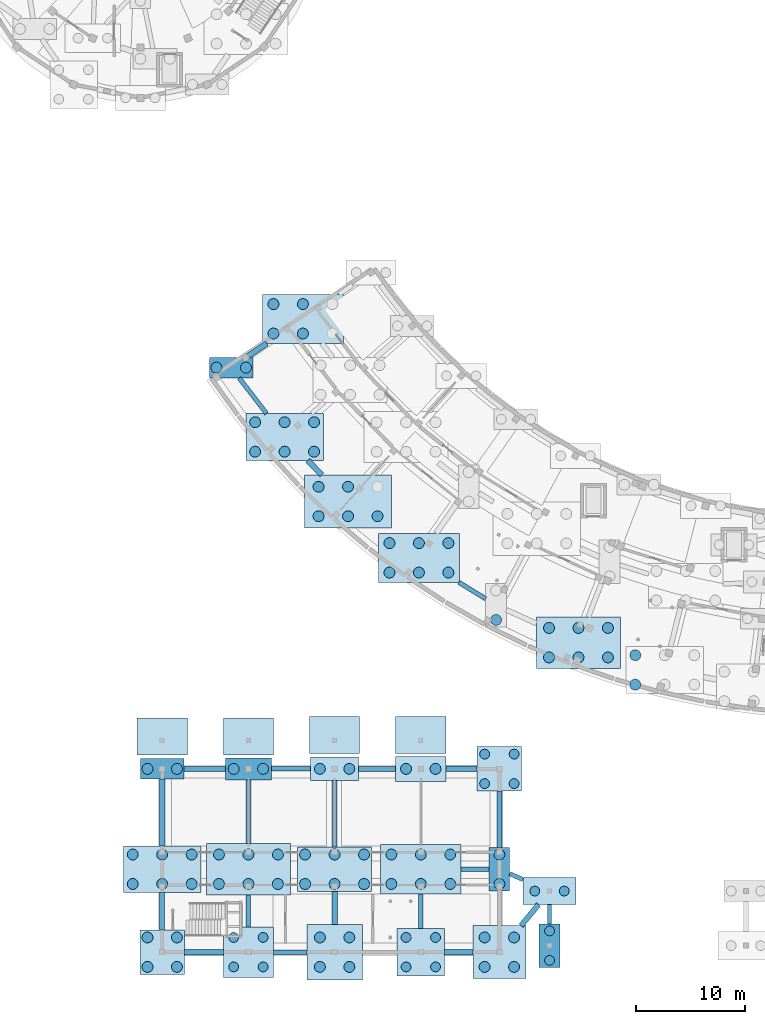
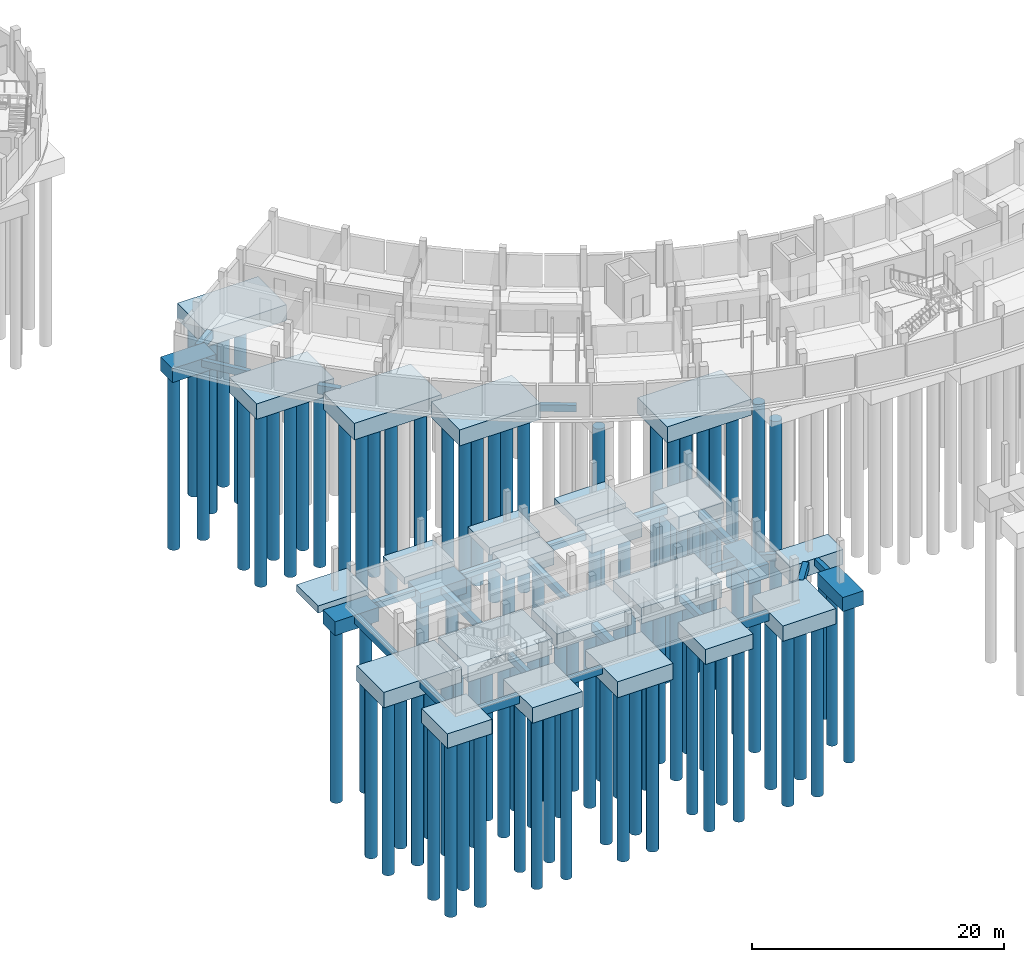
# One storey, part 1 of 58: 94 piles, 50 footings.
"""IFC4 building model written with IfcOpenShell, lengths in metres."""

from ifc_helpers import new_model, si_unit, direction, frame, origin, origin_2d, place, context, subcontext, project, spatial, rectangle, circle, extrude, material, material_profile, profile_set, type_object, element, save


model = new_model("IFC4")

# Units and contexts
model_context = context("Model", 3, precision=1e-05, world=origin(), true_north=direction((0.0, 1.0)))
body_context = subcontext(model_context, "Body", "Model", "MODEL_VIEW")
ifc_project = project(units=[si_unit("LENGTHUNIT", "METRE"), si_unit("AREAUNIT", "SQUARE_METRE"), si_unit("VOLUMEUNIT", "CUBIC_METRE"), si_unit("PLANEANGLEUNIT", "RADIAN"), si_unit("MASSUNIT", "GRAM", prefix="KILO")], contexts=[model_context])

# Site, building, storey
site_placement = place(None, origin())
site = spatial("IfcSite", under=ifc_project, at=site_placement, CompositionType="ELEMENT")
building_placement = place(site_placement, origin())
building = spatial("IfcBuilding", under=site, at=building_placement, Name="Caldaven Crescent School", CompositionType="ELEMENT")
storey_placement = place(building_placement, frame((0.0, 0.0, -4.080078125)))
storey = spatial("IfcBuildingStorey", under=building, at=storey_placement, Name="B1", CompositionType="ELEMENT", Elevation=-4.080078125)

# Footings
ifc_material_1 = material(Name="Concrete C30/37", Category="concrete")
ifc_material_profile_1 = material_profile(ifc_material_1, rectangle(XDim=0.449951171875, YDim=0.699951171875, at=origin_2d()), Name="FB 450x700")
ifc_profile_set_1 = profile_set([ifc_material_profile_1], Name="Concrete C30/37")
footing_type_1 = type_object("IfcFootingType", Name="FTG-FB1", PredefinedType="FOOTING_BEAM", material=ifc_profile_set_1)
footing_1_placement = place(storey_placement, frame((27.5, 21.0, -0.64990234375), z_axis=(1.0, 0.0, 0.0), x_axis=(0.0, 1.0, 0.0)))
element("IfcFooting", 1, at=footing_1_placement, inside=storey, type_object=footing_type_1, Name="FB-091", PredefinedType="FOOTING_BEAM", context=body_context, shape_type="SweptSolid", body=[
    extrude(rectangle(XDim=0.449951171875, YDim=0.699951171875, at=origin_2d()), origin(), (0.0, 0.0, 1.0), 3.800048828125),
])
for number, where, z_axis, x_axis, name in (
    (2, (43.5, 21.0, -0.64990234375), (1.0, 0.0, 0.0), (0.0, 1.0, 0.0), "FB-094"),
    (3, (25.5, 6.25, -0.64990234375), (0.0, 1.0, 0.0), (-1.0, 0.0, 0.0), "FB-115"),
):
    element("IfcFooting", number, at=place(storey_placement, frame(where, z_axis=z_axis, x_axis=x_axis)), inside=storey, type_object=footing_type_1, Name=name, PredefinedType="FOOTING_BEAM", context=body_context, shape_type="SweptSolid", body=[
        extrude(rectangle(XDim=0.449951171875, YDim=0.699951171875, at=origin_2d()), origin(), (0.0, 0.0, 1.0), 3.39990234375),
    ])
footing_2_placement = place(storey_placement, frame((33.39990234375, 14.14990234375, -0.64990234375), z_axis=(0.0, 1.0, 0.0), x_axis=(-1.0, 0.0, 0.0)))
element("IfcFooting", 4, at=footing_2_placement, inside=storey, type_object=footing_type_1, Name="FB-118", PredefinedType="FOOTING_BEAM", context=body_context, shape_type="SweptSolid", body=[
    extrude(rectangle(XDim=0.449951171875, YDim=0.699951171875, at=origin_2d()), origin(), (0.0, 0.0, 1.0), 5.85009765625),
])
footing_3_placement = place(storey_placement, frame((41.300048828125, 13.85009765625, -0.64990234375), z_axis=(0.0, 1.0, 0.0), x_axis=(-1.0, 0.0, 0.0)))
element("IfcFooting", 5, at=footing_3_placement, inside=storey, type_object=footing_type_1, Name="FB-121", PredefinedType="FOOTING_BEAM", context=body_context, shape_type="SweptSolid", body=[
    extrude(rectangle(XDim=0.449951171875, YDim=0.699951171875, at=origin_2d()), origin(), (0.0, 0.0, 1.0), 6.074951171875),
])
footing_4_placement = place(storey_placement, frame((52.89990234375, 11.800048828125, -0.64990234375), z_axis=(1.0, 0.0, 0.0), x_axis=(0.0, 1.0, 0.0)))
element("IfcFooting", 6, at=footing_4_placement, inside=storey, type_object=footing_type_1, Name="FB-124", PredefinedType="FOOTING_BEAM", context=body_context, shape_type="SweptSolid", body=[
    extrude(rectangle(XDim=0.449951171875, YDim=0.699951171875, at=origin_2d()), origin(), (0.0, 0.0, 1.0), 2.550048828125),
])
footing_5_placement = place(storey_placement, frame((56.39990234375, 18.949951171875, -0.64990234375), z_axis=(0.0, -1.0, 0.0), x_axis=(1.0, 0.0, 0.0)))
element("IfcFooting", 7, at=footing_5_placement, inside=storey, type_object=footing_type_1, Name="FB-127", PredefinedType="FOOTING_BEAM", context=body_context, shape_type="SweptSolid", body=[
    extrude(rectangle(XDim=0.449951171875, YDim=0.699951171875, at=origin_2d()), origin(), (0.0, 0.0, 1.0), 5.14990234375),
])
ifc_material_profile_2 = material_profile(ifc_material_1, rectangle(XDim=0.5, YDim=0.800048828125, at=origin_2d()), Name="FB 500x800")
ifc_profile_set_2 = profile_set([ifc_material_profile_2], Name="Concrete C30/37")
footing_type_2 = type_object("IfcFootingType", Name="FTG-FB2", PredefinedType="FOOTING_BEAM", material=ifc_profile_set_2)
footing_6_placement = place(storey_placement, frame((25.5, 20.050048828125, -0.699951171875), z_axis=(0.0, -1.0, 0.0), x_axis=(1.0, 0.0, 0.0)))
element("IfcFooting", 8, at=footing_6_placement, inside=storey, type_object=footing_type_2, Name="FB-092", PredefinedType="FOOTING_BEAM", context=body_context, shape_type="SweptSolid", body=[
    extrude(rectangle(XDim=0.5, YDim=0.800048828125, at=origin_2d()), origin(), (0.0, 0.0, 1.0), 6.10009765625),
])
footing_7_placement = place(storey_placement, frame((51.5, 21.0, -0.699951171875), z_axis=(1.0, 0.0, 0.0), x_axis=(0.0, 1.0, 0.0)))
element("IfcFooting", 9, at=footing_7_placement, inside=storey, type_object=footing_type_2, Name="FB-095", PredefinedType="FOOTING_BEAM", context=body_context, shape_type="SweptSolid", body=[
    extrude(rectangle(XDim=0.5, YDim=0.800048828125, at=origin_2d()), origin(), (0.0, 0.0, 1.0), 2.85009765625),
])
footing_8_placement = place(storey_placement, frame((27.550048828125, 4.199951171875, -0.699951171875), z_axis=(1.0, 0.0, 0.0), x_axis=(0.0, 1.0, 0.0)))
element("IfcFooting", 10, at=footing_8_placement, inside=storey, type_object=footing_type_2, Name="FB-116", PredefinedType="FOOTING_BEAM", context=body_context, shape_type="SweptSolid", body=[
    extrude(rectangle(XDim=0.5, YDim=0.800048828125, at=origin_2d()), origin(), (0.0, 0.0, 1.0), 3.550048828125),
])
footing_9_placement = place(storey_placement, frame((41.300048828125, 6.75, -0.699951171875), z_axis=(0.0, 1.0, 0.0), x_axis=(-1.0, 0.0, 0.0)))
element("IfcFooting", 11, at=footing_9_placement, inside=storey, type_object=footing_type_2, Name="FB-119", PredefinedType="FOOTING_BEAM", context=body_context, shape_type="SweptSolid", body=[
    extrude(rectangle(XDim=0.5, YDim=0.800048828125, at=origin_2d()), origin(), (0.0, 0.0, 1.0), 3.0),
])
footing_10_placement = place(storey_placement, frame((51.375, 4.199951171875, -0.699951171875), z_axis=(1.0, 0.0, 0.0), x_axis=(0.0, 1.0, 0.0)))
element("IfcFooting", 12, at=footing_10_placement, inside=storey, type_object=footing_type_2, Name="FB-122", PredefinedType="FOOTING_BEAM", context=body_context, shape_type="SweptSolid", body=[
    extrude(rectangle(XDim=0.5, YDim=0.800048828125, at=origin_2d()), origin(), (0.0, 0.0, 1.0), 2.60009765625),
])
footing_11_placement = place(storey_placement, frame((58.39208984375, 6.625, -0.699951171875), z_axis=(0.634696093769, 0.772761844655, 0.0), x_axis=(-0.772761844655, 0.634696093769, 0.0)))
element("IfcFooting", 13, at=footing_11_placement, inside=storey, type_object=footing_type_2, Name="FB-125", PredefinedType="FOOTING_BEAM", context=body_context, shape_type="SweptSolid", body=[
    extrude(rectangle(XDim=0.5, YDim=0.800048828125, at=origin_2d()), origin(), (0.0, 0.0, 1.0), 2.5234375),
])
footing_12_placement = place(storey_placement, frame((33.21923828125, 58.722412109375, -0.699951171875), z_axis=(0.826731707177, 0.562596377831, 0.0), x_axis=(-0.562596377831, 0.826731707177, 0.0)))
element("IfcFooting", 14, at=footing_12_placement, inside=storey, type_object=footing_type_2, Name="FB-131", PredefinedType="FOOTING_BEAM", context=body_context, shape_type="SweptSolid", body=[
    extrude(rectangle(XDim=0.5, YDim=0.800048828125, at=origin_2d()), origin(), (0.0, 0.0, 1.0), 2.26171875),
])
footing_13_placement = place(storey_placement, frame((40.125, 47.953369140625, -0.699951171875), z_axis=(-0.700933845359, 0.713226292582, 0.0), x_axis=(-0.713226292582, -0.700933845359, 0.0)))
element("IfcFooting", 15, at=footing_13_placement, inside=storey, type_object=footing_type_2, Name="FB-140", PredefinedType="FOOTING_BEAM", context=body_context, shape_type="SweptSolid", body=[
    extrude(rectangle(XDim=0.5, YDim=0.800048828125, at=origin_2d()), origin(), (0.0, 0.0, 1.0), 1.84716796875),
])
ifc_material_profile_3 = material_profile(ifc_material_1, rectangle(XDim=0.39990234375, YDim=0.64990234375, at=origin_2d()), Name="FB 400x650")
ifc_profile_set_3 = profile_set([ifc_material_profile_3], Name="Concrete C30/37")
footing_type_3 = type_object("IfcFootingType", Name="FTG-FB3", PredefinedType="FOOTING_BEAM", material=ifc_profile_set_3)
footing_14_placement = place(storey_placement, frame((35.5, 21.0, -0.625), z_axis=(1.0, 0.0, 0.0), x_axis=(0.0, 1.0, 0.0)))
element("IfcFooting", 16, at=footing_14_placement, inside=storey, type_object=footing_type_3, Name="FB-093", PredefinedType="FOOTING_BEAM", context=body_context, shape_type="SweptSolid", body=[
    extrude(rectangle(XDim=0.39990234375, YDim=0.64990234375, at=origin_2d()), origin(), (0.0, 0.0, 1.0), 3.60009765625),
])
footing_15_placement = place(storey_placement, frame((33.39990234375, 6.5, -0.625), z_axis=(0.0, 1.0, 0.0), x_axis=(-1.0, 0.0, 0.0)))
element("IfcFooting", 17, at=footing_15_placement, inside=storey, type_object=footing_type_3, Name="FB-117", PredefinedType="FOOTING_BEAM", context=body_context, shape_type="SweptSolid", body=[
    extrude(rectangle(XDim=0.39990234375, YDim=0.64990234375, at=origin_2d()), origin(), (0.0, 0.0, 1.0), 2.949951171875),
])
footing_16_placement = place(storey_placement, frame((38.75, 4.199951171875, -0.625), z_axis=(-1.0, 0.0, 0.0), x_axis=(0.0, -1.0, 0.0)))
element("IfcFooting", 18, at=footing_16_placement, inside=storey, type_object=footing_type_3, Name="FB-120", PredefinedType="FOOTING_BEAM", context=body_context, shape_type="SweptSolid", body=[
    extrude(rectangle(XDim=0.39990234375, YDim=0.64990234375, at=origin_2d()), origin(), (0.0, 0.0, 1.0), 3.050048828125),
])
footing_17_placement = place(storey_placement, frame((49.199951171875, 6.375, -0.625), z_axis=(0.0, 1.0, 0.0), x_axis=(-1.0, 0.0, 0.0)))
element("IfcFooting", 19, at=footing_17_placement, inside=storey, type_object=footing_type_3, Name="FB-123", PredefinedType="FOOTING_BEAM", context=body_context, shape_type="SweptSolid", body=[
    extrude(rectangle(XDim=0.39990234375, YDim=0.64990234375, at=origin_2d()), origin(), (0.0, 0.0, 1.0), 3.175048828125),
])
footing_18_placement = place(storey_placement, frame((57.35009765625, 11.386962890625, -0.625), z_axis=(0.917023555074, -0.398833047074, 0.0), x_axis=(0.398833047074, 0.917023555074, 0.0)))
element("IfcFooting", 20, at=footing_18_placement, inside=storey, type_object=footing_type_3, Name="FB-126", PredefinedType="FOOTING_BEAM", context=body_context, shape_type="SweptSolid", body=[
    extrude(rectangle(XDim=0.39990234375, YDim=0.64990234375, at=origin_2d()), origin(), (0.0, 0.0, 1.0), 1.335693359375),
])
footing_19_placement = place(storey_placement, frame((32.55517578125, 56.822265625, -0.625), z_axis=(0.610397485424, -0.792095265602, 0.0), x_axis=(0.792095265602, 0.610397485424, 0.0)))
element("IfcFooting", 21, at=footing_19_placement, inside=storey, type_object=footing_type_3, Name="FB-132", PredefinedType="FOOTING_BEAM", context=body_context, shape_type="SweptSolid", body=[
    extrude(rectangle(XDim=0.39990234375, YDim=0.64990234375, at=origin_2d()), origin(), (0.0, 0.0, 1.0), 4.10498046875),
])
footing_20_placement = place(storey_placement, frame((52.697265625, 38.088623046875, -0.625), z_axis=(0.852639071993, -0.522500347283, 0.0), x_axis=(0.522500347283, 0.852639071993, 0.0)))
element("IfcFooting", 22, at=footing_20_placement, inside=storey, type_object=footing_type_3, Name="FB-144", PredefinedType="FOOTING_BEAM", context=body_context, shape_type="SweptSolid", body=[
    extrude(rectangle(XDim=0.39990234375, YDim=0.64990234375, at=origin_2d()), origin(), (0.0, 0.0, 1.0), 2.8759765625),
])
footing_21_placement = place(storey_placement, frame((61.0, 6.800048828125, -0.625), z_axis=(0.0, 1.0, 0.0), x_axis=(-1.0, 0.0, 0.0)))
element("IfcFooting", 23, at=footing_21_placement, inside=storey, type_object=footing_type_3, Name="FB-198", PredefinedType="FOOTING_BEAM", context=body_context, shape_type="SweptSolid", body=[
    extrude(rectangle(XDim=0.39990234375, YDim=0.64990234375, at=origin_2d()), origin(), (0.0, 0.0, 1.0), 1.77490234375),
])
ifc_material_2 = material(Name="Concrete C35/45", Category="concrete")
footing_type_4 = type_object("IfcFootingType", Name="FTG-PAD02", PredefinedType="PAD_FOOTING", material=ifc_material_2)
for number, where, z_axis, x_axis, name in (
    (24, (25.5, 23.949951171875, -0.69970703125), (0.0, 0.0, 1.0), (1.0, 0.0, 0.0), "PF-B1-03"),
    (25, (33.39990234375, 23.949951171875, -0.69970703125), (0.0, 0.0, 1.0), (1.0, 0.0, 0.0), "PF-B1-04"),
    (26, (41.300048828125, 24.10009765625, -0.69970703125), (0.0, 0.0, 1.0), (1.0, 0.0, 0.0), "PF-B1-05"),
    (27, (49.199951171875, 24.10009765625, -0.69970703125), (0.0, 0.0, 1.0), (1.0, 0.0, 0.0), "PF-B1-06"),
):
    element("IfcFooting", number, at=place(storey_placement, frame(where, z_axis=z_axis, x_axis=x_axis)), inside=storey, type_object=footing_type_4, Name=name, PredefinedType="PAD_FOOTING", context=body_context, shape_type="SweptSolid", body=[
        extrude(rectangle(XDim=4.60009765625, YDim=3.39990234375, at=origin_2d()), origin(), (0.0, 0.0, 1.0), 0.699951171875),
    ])
footing_type_5 = type_object("IfcFootingType", Name="FTG-PC01", PredefinedType="PILE_CAP", material=ifc_material_2)
for number, where, z_axis, x_axis, name in (
    (28, (25.5, 21.0, -1.64990234375), (0.0, 0.0, 1.0), (1.0, 0.0, 0.0), "PC-079"),
    (29, (56.39990234375, 11.800048828125, -1.64990234375), (0.0, 0.0, 1.0), (0.0, 1.0, 0.0), "PC-110"),
    (30, (31.822998046875, 57.772216796875, -1.64990234375), (0.0, 0.0, 1.0), (1.0, 0.0, 0.0), "PC-114"),
    (31, (61.0, 4.800048828125, -1.64990234375), (0.0, 0.0, 1.0), (0.0, 1.0, 0.0), "PC-166"),
):
    element("IfcFooting", number, at=place(storey_placement, frame(where, z_axis=z_axis, x_axis=x_axis)), inside=storey, type_object=footing_type_5, Name=name, PredefinedType="PILE_CAP", context=body_context, shape_type="SweptSolid", body=[
        extrude(rectangle(XDim=4.0, YDim=1.89990234375, at=origin_2d()), origin(), (0.0, 0.0, 1.0), 1.35009765625),
    ])
footing_type_6 = type_object("IfcFootingType", Name="FTG-PC02", PredefinedType="PILE_CAP", material=ifc_material_2)
footing_22_placement = place(storey_placement, frame((33.39990234375, 21.0, -1.699951171875), z_axis=(0.0, 0.0, 1.0), x_axis=(1.0, 0.0, 0.0)))
element("IfcFooting", 32, at=footing_22_placement, inside=storey, type_object=footing_type_6, Name="PC-080", PredefinedType="PILE_CAP", context=body_context, shape_type="SweptSolid", body=[
    extrude(rectangle(XDim=4.199951171875, YDim=2.0, at=origin_2d()), origin(), (0.0, 0.0, 1.0), 1.39990234375),
])
footing_type_7 = type_object("IfcFootingType", Name="FTG-PC03", PredefinedType="PILE_CAP", material=ifc_material_2)
footing_23_placement = place(storey_placement, frame((41.300048828125, 21.0, -1.699951171875), z_axis=(0.0, 0.0, 1.0), x_axis=(1.0, 0.0, 0.0)))
element("IfcFooting", 33, at=footing_23_placement, inside=storey, type_object=footing_type_7, Name="PC-081", PredefinedType="PILE_CAP", context=body_context, shape_type="SweptSolid", body=[
    extrude(rectangle(XDim=4.39990234375, YDim=2.14990234375, at=origin_2d()), origin(), (0.0, 0.0, 1.0), 1.39990234375),
])
footing_type_8 = type_object("IfcFootingType", Name="FTG-PC04", PredefinedType="PILE_CAP", material=ifc_material_2)
footing_24_placement = place(storey_placement, frame((49.199951171875, 21.0, -1.75), z_axis=(0.0, 0.0, 1.0), x_axis=(1.0, 0.0, 0.0)))
element("IfcFooting", 34, at=footing_24_placement, inside=storey, type_object=footing_type_8, Name="PC-082", PredefinedType="PILE_CAP", context=body_context, shape_type="SweptSolid", body=[
    extrude(rectangle(XDim=4.60009765625, YDim=2.300048828125, at=origin_2d()), origin(), (0.0, 0.0, 1.0), 1.449951171875),
])
footing_type_9 = type_object("IfcFootingType", Name="FTG-PC05", PredefinedType="PILE_CAP", material=ifc_material_2)
footing_25_placement = place(storey_placement, frame((61.0, 9.800048828125, -1.75), z_axis=(0.0, 0.0, 1.0), x_axis=(1.0, 0.0, 0.0)))
element("IfcFooting", 35, at=footing_25_placement, inside=storey, type_object=footing_type_9, Name="PC-167", PredefinedType="PILE_CAP", context=body_context, shape_type="SweptSolid", body=[
    extrude(rectangle(XDim=4.85009765625, YDim=2.449951171875, at=origin_2d()), origin(), (0.0, 0.0, 1.0), 1.449951171875),
])
footing_type_10 = type_object("IfcFootingType", Name="FTG-PC07", PredefinedType="PILE_CAP", material=ifc_material_2)
for number, where, z_axis, x_axis, name in (
    (36, (25.5, 4.199951171875, -1.699951171875), (0.0, 0.0, 1.0), (1.0, 0.0, 0.0), "PC-101"),
    (37, (56.39990234375, 21.0, -1.699951171875), (0.0, 0.0, 1.0), (1.0, 0.0, 0.0), "PC-111"),
):
    element("IfcFooting", number, at=place(storey_placement, frame(where, z_axis=z_axis, x_axis=x_axis)), inside=storey, type_object=footing_type_10, Name=name, PredefinedType="PILE_CAP", context=body_context, shape_type="SweptSolid", body=[
        extrude(rectangle(XDim=4.10009765625, YDim=4.10009765625, at=origin_2d()), origin(), (0.0, 0.0, 1.0), 1.39990234375),
    ])
footing_type_11 = type_object("IfcFootingType", Name="FTG-PC08", PredefinedType="PILE_CAP", material=ifc_material_2)
footing_26_placement = place(storey_placement, frame((49.199951171875, 4.199951171875, -1.75), z_axis=(0.0, 0.0, 1.0), x_axis=(1.0, 0.0, 0.0)))
element("IfcFooting", 38, at=footing_26_placement, inside=storey, type_object=footing_type_11, Name="PC-107", PredefinedType="PILE_CAP", context=body_context, shape_type="SweptSolid", body=[
    extrude(rectangle(XDim=4.35009765625, YDim=4.35009765625, at=origin_2d()), origin(), (0.0, 0.0, 1.0), 1.449951171875),
])
footing_type_12 = type_object("IfcFootingType", Name="FTG-PC09", PredefinedType="PILE_CAP", material=ifc_material_2)
footing_27_placement = place(storey_placement, frame((33.39990234375, 4.199951171875, -1.7998046875), z_axis=(0.0, 0.0, 1.0), x_axis=(1.0, 0.0, 0.0)))
element("IfcFooting", 39, at=footing_27_placement, inside=storey, type_object=footing_type_12, Name="PC-103", PredefinedType="PILE_CAP", context=body_context, shape_type="SweptSolid", body=[
    extrude(rectangle(XDim=4.60009765625, YDim=4.60009765625, at=origin_2d()), origin(), (0.0, 0.0, 1.0), 1.5),
])
footing_type_13 = type_object("IfcFootingType", Name="FTG-PC10", PredefinedType="PILE_CAP", material=ifc_material_2)
footing_28_placement = place(storey_placement, frame((56.39990234375, 4.199951171875, -1.7998046875), z_axis=(0.0, 0.0, 1.0), x_axis=(1.0, 0.0, 0.0)))
element("IfcFooting", 40, at=footing_28_placement, inside=storey, type_object=footing_type_13, Name="PC-109", PredefinedType="PILE_CAP", context=body_context, shape_type="SweptSolid", body=[
    extrude(rectangle(XDim=4.85009765625, YDim=4.85009765625, at=origin_2d()), origin(), (0.0, 0.0, 1.0), 1.5),
])
footing_type_14 = type_object("IfcFootingType", Name="FTG-PC11", PredefinedType="PILE_CAP", material=ifc_material_2)
footing_29_placement = place(storey_placement, frame((41.300048828125, 4.199951171875, -1.85009765625), z_axis=(0.0, 0.0, 1.0), x_axis=(1.0, 0.0, 0.0)))
element("IfcFooting", 41, at=footing_29_placement, inside=storey, type_object=footing_type_14, Name="PC-105", PredefinedType="PILE_CAP", context=body_context, shape_type="SweptSolid", body=[
    extrude(rectangle(XDim=5.10009765625, YDim=5.10009765625, at=origin_2d()), origin(), (0.0, 0.0, 1.0), 1.550048828125),
])
footing_type_15 = type_object("IfcFootingType", Name="FTG-PC12", PredefinedType="PILE_CAP", material=ifc_material_2)
footing_30_placement = place(storey_placement, frame((41.300048828125, 11.800048828125, -1.75), z_axis=(0.0, 0.0, 1.0), x_axis=(1.0, 0.0, 0.0)))
element("IfcFooting", 42, at=footing_30_placement, inside=storey, type_object=footing_type_15, Name="PC-106", PredefinedType="PILE_CAP", context=body_context, shape_type="SweptSolid", body=[
    extrude(rectangle(XDim=6.800048828125, YDim=4.10009765625, at=origin_2d()), origin(), (0.0, 0.0, 1.0), 1.449951171875),
])
footing_type_16 = type_object("IfcFootingType", Name="FTG-PC13", PredefinedType="PILE_CAP", material=ifc_material_2)
for number, where, z_axis, x_axis, name in (
    (43, (25.5, 11.800048828125, -1.7998046875), (0.0, 0.0, 1.0), (1.0, 0.0, 0.0), "PC-102"),
    (44, (36.717529296875, 51.4208984375, -1.7998046875), (0.0, 0.0, 1.0), (1.0, 0.0, 0.0), "PC-117"),
):
    element("IfcFooting", number, at=place(storey_placement, frame(where, z_axis=z_axis, x_axis=x_axis)), inside=storey, type_object=footing_type_16, Name=name, PredefinedType="PILE_CAP", context=body_context, shape_type="SweptSolid", body=[
        extrude(rectangle(XDim=7.10009765625, YDim=4.300048828125, at=origin_2d()), origin(), (0.0, 0.0, 1.0), 1.5),
    ])
footing_type_17 = type_object("IfcFootingType", Name="FTG-PC14", PredefinedType="PILE_CAP", material=ifc_material_2)
for number, where, z_axis, x_axis, name in (
    (45, (49.199951171875, 11.800048828125, -1.85009765625), (0.0, 0.0, 1.0), (1.0, 0.0, 0.0), "PC-108"),
    (46, (38.395751953125, 62.244873046875, -1.85009765625), (0.0, 0.0, 1.0), (1.0, 0.0, 0.0), "PC-113"),
    (47, (49.025390625, 40.338623046875, -1.85009765625), (0.0, 0.0, 1.0), (1.0, 0.0, 0.0), "PC-123"),
):
    element("IfcFooting", number, at=place(storey_placement, frame(where, z_axis=z_axis, x_axis=x_axis)), inside=storey, type_object=footing_type_17, Name=name, PredefinedType="PILE_CAP", context=body_context, shape_type="SweptSolid", body=[
        extrude(rectangle(XDim=7.39990234375, YDim=4.5, at=origin_2d()), origin(), (0.0, 0.0, 1.0), 1.550048828125),
    ])
footing_type_18 = type_object("IfcFootingType", Name="FTG-PC15", PredefinedType="PILE_CAP", material=ifc_material_2)
for number, where, z_axis, x_axis, name in (
    (48, (33.39990234375, 11.800048828125, -1.85009765625), (0.0, 0.0, 1.0), (1.0, 0.0, 0.0), "PC-104"),
    (49, (63.6494140625, 32.564697265625, -1.85009765625), (0.0, 0.0, 1.0), (1.0, 0.0, 0.0), "PC-129"),
):
    element("IfcFooting", number, at=place(storey_placement, frame(where, z_axis=z_axis, x_axis=x_axis)), inside=storey, type_object=footing_type_18, Name=name, PredefinedType="PILE_CAP", context=body_context, shape_type="SweptSolid", body=[
        extrude(rectangle(XDim=7.699951171875, YDim=4.699951171875, at=origin_2d()), origin(), (0.0, 0.0, 1.0), 1.550048828125),
    ])
footing_type_19 = type_object("IfcFootingType", Name="FTG-PC16", PredefinedType="PILE_CAP", material=ifc_material_2)
footing_31_placement = place(storey_placement, frame((42.53271484375, 45.50341796875, -1.89990234375), z_axis=(0.0, 0.0, 1.0), x_axis=(1.0, 0.0, 0.0)))
element("IfcFooting", 50, at=footing_31_placement, inside=storey, type_object=footing_type_19, Name="PC-120", PredefinedType="PILE_CAP", context=body_context, shape_type="SweptSolid", body=[
    extrude(rectangle(XDim=8.0, YDim=4.89990234375, at=origin_2d()), origin(), (0.0, 0.0, 1.0), 1.60009765625),
])

# Piles
ifc_material_profile_4 = material_profile(ifc_material_2, circle(Radius=0.5, at=origin_2d()), Name="PILE D1000")
ifc_profile_set_4 = profile_set([ifc_material_profile_4], Name="Concrete C35/45")
pile_type_1 = type_object("IfcPileType", Name="PIL-D1000", PredefinedType="BORED", material=ifc_profile_set_4)
for number, where, z_axis, x_axis, name in (
    (51, (24.14990234375, 21.0, -1.5498046875), (0.0, 0.0, -1.0), (1.0, 0.0, 0.0), "PILE-079-1"),
    (52, (26.85009765625, 21.0, -1.5498046875), (0.0, 0.0, -1.0), (1.0, 0.0, 0.0), "PILE-079-2"),
    (53, (32.050048828125, 21.0, -1.599853515625), (0.0, 0.0, -1.0), (1.0, 0.0, 0.0), "PILE-080-1"),
    (54, (34.75, 21.0, -1.599853515625), (0.0, 0.0, -1.0), (1.0, 0.0, 0.0), "PILE-080-2"),
    (55, (39.949951171875, 21.0, -1.599853515625), (0.0, 0.0, -1.0), (1.0, 0.0, 0.0), "PILE-081-1"),
    (56, (42.64990234375, 21.0, -1.599853515625), (0.0, 0.0, -1.0), (1.0, 0.0, 0.0), "PILE-081-2"),
    (57, (47.85009765625, 21.0, -1.64990234375), (0.0, 0.0, -1.0), (1.0, 0.0, 0.0), "PILE-082-1"),
    (58, (50.550048828125, 21.0, -1.64990234375), (0.0, 0.0, -1.0), (1.0, 0.0, 0.0), "PILE-082-2"),
    (59, (24.14990234375, 2.85009765625, -1.599853515625), (0.0, 0.0, -1.0), (1.0, 0.0, 0.0), "PILE-101-1"),
    (60, (26.85009765625, 2.85009765625, -1.599853515625), (0.0, 0.0, -1.0), (1.0, 0.0, 0.0), "PILE-101-2"),
    (61, (24.14990234375, 5.550048828125, -1.599853515625), (0.0, 0.0, -1.0), (1.0, 0.0, 0.0), "PILE-101-3"),
    (62, (26.85009765625, 5.550048828125, -1.599853515625), (0.0, 0.0, -1.0), (1.0, 0.0, 0.0), "PILE-101-4"),
    (63, (22.800048828125, 10.449951171875, -1.699951171875), (0.0, 0.0, -1.0), (1.0, 0.0, 0.0), "PILE-102-1"),
    (64, (25.5, 10.449951171875, -1.699951171875), (0.0, 0.0, -1.0), (1.0, 0.0, 0.0), "PILE-102-2"),
    (65, (28.199951171875, 10.449951171875, -1.699951171875), (0.0, 0.0, -1.0), (1.0, 0.0, 0.0), "PILE-102-3"),
    (66, (22.800048828125, 13.14990234375, -1.699951171875), (0.0, 0.0, -1.0), (1.0, 0.0, 0.0), "PILE-102-4"),
    (67, (25.5, 13.14990234375, -1.699951171875), (0.0, 0.0, -1.0), (1.0, 0.0, 0.0), "PILE-102-5"),
    (68, (28.199951171875, 13.14990234375, -1.699951171875), (0.0, 0.0, -1.0), (1.0, 0.0, 0.0), "PILE-102-6"),
    (69, (30.699951171875, 10.449951171875, -1.75), (0.0, 0.0, -1.0), (1.0, 0.0, 0.0), "PILE-104-1"),
    (70, (33.39990234375, 10.449951171875, -1.75), (0.0, 0.0, -1.0), (1.0, 0.0, 0.0), "PILE-104-2"),
    (71, (36.10009765625, 10.449951171875, -1.75), (0.0, 0.0, -1.0), (1.0, 0.0, 0.0), "PILE-104-3"),
    (72, (30.699951171875, 13.14990234375, -1.75), (0.0, 0.0, -1.0), (1.0, 0.0, 0.0), "PILE-104-4"),
    (73, (33.39990234375, 13.14990234375, -1.75), (0.0, 0.0, -1.0), (1.0, 0.0, 0.0), "PILE-104-5"),
    (74, (36.10009765625, 13.14990234375, -1.75), (0.0, 0.0, -1.0), (1.0, 0.0, 0.0), "PILE-104-6"),
    (75, (39.949951171875, 2.85009765625, -1.75), (0.0, 0.0, -1.0), (1.0, 0.0, 0.0), "PILE-105-1"),
    (76, (42.64990234375, 2.85009765625, -1.75), (0.0, 0.0, -1.0), (1.0, 0.0, 0.0), "PILE-105-2"),
    (77, (39.949951171875, 5.550048828125, -1.75), (0.0, 0.0, -1.0), (1.0, 0.0, 0.0), "PILE-105-3"),
    (78, (42.64990234375, 5.550048828125, -1.75), (0.0, 0.0, -1.0), (1.0, 0.0, 0.0), "PILE-105-4"),
    (79, (38.60009765625, 10.449951171875, -1.64990234375), (0.0, 0.0, -1.0), (1.0, 0.0, 0.0), "PILE-106-1"),
    (80, (41.300048828125, 10.449951171875, -1.64990234375), (0.0, 0.0, -1.0), (1.0, 0.0, 0.0), "PILE-106-2"),
    (81, (44.0, 10.449951171875, -1.64990234375), (0.0, 0.0, -1.0), (1.0, 0.0, 0.0), "PILE-106-3"),
    (82, (38.60009765625, 13.14990234375, -1.64990234375), (0.0, 0.0, -1.0), (1.0, 0.0, 0.0), "PILE-106-4"),
    (83, (41.300048828125, 13.14990234375, -1.64990234375), (0.0, 0.0, -1.0), (1.0, 0.0, 0.0), "PILE-106-5"),
    (84, (44.0, 13.14990234375, -1.64990234375), (0.0, 0.0, -1.0), (1.0, 0.0, 0.0), "PILE-106-6"),
    (85, (46.5, 10.449951171875, -1.75), (0.0, 0.0, -1.0), (1.0, 0.0, 0.0), "PILE-108-1"),
    (86, (49.199951171875, 10.449951171875, -1.75), (0.0, 0.0, -1.0), (1.0, 0.0, 0.0), "PILE-108-2"),
    (87, (51.89990234375, 10.449951171875, -1.75), (0.0, 0.0, -1.0), (1.0, 0.0, 0.0), "PILE-108-3"),
    (88, (46.5, 13.14990234375, -1.75), (0.0, 0.0, -1.0), (1.0, 0.0, 0.0), "PILE-108-4"),
    (89, (49.199951171875, 13.14990234375, -1.75), (0.0, 0.0, -1.0), (1.0, 0.0, 0.0), "PILE-108-5"),
    (90, (51.89990234375, 13.14990234375, -1.75), (0.0, 0.0, -1.0), (1.0, 0.0, 0.0), "PILE-108-6"),
    (91, (55.050048828125, 2.85009765625, -1.699951171875), (0.0, 0.0, -1.0), (1.0, 0.0, 0.0), "PILE-109-1"),
    (92, (57.75, 2.85009765625, -1.699951171875), (0.0, 0.0, -1.0), (1.0, 0.0, 0.0), "PILE-109-2"),
    (93, (55.050048828125, 5.550048828125, -1.699951171875), (0.0, 0.0, -1.0), (1.0, 0.0, 0.0), "PILE-109-3"),
    (94, (57.75, 5.550048828125, -1.699951171875), (0.0, 0.0, -1.0), (1.0, 0.0, 0.0), "PILE-109-4"),
    (95, (56.39990234375, 10.449951171875, -1.5498046875), (0.0, 0.0, -1.0), (1.0, 0.0, 0.0), "PILE-110-1"),
    (96, (56.39990234375, 13.14990234375, -1.5498046875), (0.0, 0.0, -1.0), (1.0, 0.0, 0.0), "PILE-110-2"),
    (97, (35.69580078125, 60.894775390625, -1.75), (0.0, 0.0, -1.0), (1.0, 0.0, 0.0), "PILE-113-1"),
    (98, (38.395751953125, 60.894775390625, -1.75), (0.0, 0.0, -1.0), (1.0, 0.0, 0.0), "PILE-113-2"),
    (99, (35.69580078125, 63.5947265625, -1.75), (0.0, 0.0, -1.0), (1.0, 0.0, 0.0), "PILE-113-4"),
    (100, (38.395751953125, 63.5947265625, -1.75), (0.0, 0.0, -1.0), (1.0, 0.0, 0.0), "PILE-113-5"),
    (101, (30.47314453125, 57.772216796875, -1.5498046875), (0.0, 0.0, -1.0), (1.0, 0.0, 0.0), "PILE-114-1"),
    (102, (33.173095703125, 57.772216796875, -1.5498046875), (0.0, 0.0, -1.0), (1.0, 0.0, 0.0), "PILE-114-2"),
    (103, (34.017578125, 50.07080078125, -1.699951171875), (0.0, 0.0, -1.0), (1.0, 0.0, 0.0), "PILE-117-1"),
    (104, (36.717529296875, 50.07080078125, -1.699951171875), (0.0, 0.0, -1.0), (1.0, 0.0, 0.0), "PILE-117-2"),
    (105, (39.41748046875, 50.07080078125, -1.699951171875), (0.0, 0.0, -1.0), (1.0, 0.0, 0.0), "PILE-117-3"),
    (106, (34.017578125, 52.770751953125, -1.699951171875), (0.0, 0.0, -1.0), (1.0, 0.0, 0.0), "PILE-117-4"),
    (107, (36.717529296875, 52.770751953125, -1.699951171875), (0.0, 0.0, -1.0), (1.0, 0.0, 0.0), "PILE-117-5"),
    (108, (39.41748046875, 52.770751953125, -1.699951171875), (0.0, 0.0, -1.0), (1.0, 0.0, 0.0), "PILE-117-6"),
    (109, (39.83251953125, 44.1533203125, -1.7998046875), (0.0, 0.0, -1.0), (1.0, 0.0, 0.0), "PILE-120-1"),
    (110, (42.53271484375, 44.1533203125, -1.7998046875), (0.0, 0.0, -1.0), (1.0, 0.0, 0.0), "PILE-120-2"),
    (111, (45.232666015625, 44.1533203125, -1.7998046875), (0.0, 0.0, -1.0), (1.0, 0.0, 0.0), "PILE-120-3"),
    (112, (39.83251953125, 46.853271484375, -1.7998046875), (0.0, 0.0, -1.0), (1.0, 0.0, 0.0), "PILE-120-4"),
    (113, (42.53271484375, 46.853271484375, -1.7998046875), (0.0, 0.0, -1.0), (1.0, 0.0, 0.0), "PILE-120-5"),
    (114, (46.325439453125, 38.988525390625, -1.75), (0.0, 0.0, -1.0), (1.0, 0.0, 0.0), "PILE-123-1"),
    (115, (49.025390625, 38.988525390625, -1.75), (0.0, 0.0, -1.0), (1.0, 0.0, 0.0), "PILE-123-2"),
    (116, (51.7255859375, 38.988525390625, -1.75), (0.0, 0.0, -1.0), (1.0, 0.0, 0.0), "PILE-123-3"),
    (117, (46.325439453125, 41.688720703125, -1.75), (0.0, 0.0, -1.0), (1.0, 0.0, 0.0), "PILE-123-4"),
    (118, (49.025390625, 41.688720703125, -1.75), (0.0, 0.0, -1.0), (1.0, 0.0, 0.0), "PILE-123-5"),
    (119, (51.7255859375, 41.688720703125, -1.75), (0.0, 0.0, -1.0), (1.0, 0.0, 0.0), "PILE-123-6"),
    (120, (56.099365234375, 34.65380859375, -1.5498046875), (0.0, 0.0, -1.0), (1.0, 0.0, 0.0), "PILE-126-1"),
    (121, (60.949462890625, 31.214599609375, -1.75), (0.0, 0.0, -1.0), (1.0, 0.0, 0.0), "PILE-129-1"),
    (122, (63.6494140625, 31.214599609375, -1.75), (0.0, 0.0, -1.0), (1.0, 0.0, 0.0), "PILE-129-2"),
    (123, (66.349609375, 31.214599609375, -1.75), (0.0, 0.0, -1.0), (1.0, 0.0, 0.0), "PILE-129-3"),
    (124, (60.949462890625, 33.914794921875, -1.75), (0.0, 0.0, -1.0), (1.0, 0.0, 0.0), "PILE-129-4"),
    (125, (63.6494140625, 33.914794921875, -1.75), (0.0, 0.0, -1.0), (1.0, 0.0, 0.0), "PILE-129-5"),
    (126, (66.349609375, 33.914794921875, -1.75), (0.0, 0.0, -1.0), (1.0, 0.0, 0.0), "PILE-129-6"),
    (127, (68.861328125, 28.718505859375, -1.699951171875), (0.0, 0.0, -1.0), (1.0, 0.0, 0.0), "PILE-132-1"),
    (128, (68.861328125, 31.41845703125, -1.699951171875), (0.0, 0.0, -1.0), (1.0, 0.0, 0.0), "PILE-132-4"),
):
    element("IfcPile", number, at=place(storey_placement, frame(where, z_axis=z_axis, x_axis=x_axis)), inside=storey, type_object=pile_type_1, Name=name, PredefinedType="BORED", context=body_context, shape_type="SweptSolid", body=[
        extrude(circle(Radius=0.5, at=origin_2d()), origin(), (0.0, 0.0, 1.0), 16.800048828125),
    ])
ifc_material_profile_5 = material_profile(ifc_material_2, circle(Radius=0.449951171875, at=origin_2d()), Name="PILE D900")
ifc_profile_set_5 = profile_set([ifc_material_profile_5], Name="Concrete C35/45")
pile_type_2 = type_object("IfcPileType", Name="PIL-D900", PredefinedType="BORED", material=ifc_profile_set_5)
for number, where, z_axis, x_axis, name in (
    (129, (32.050048828125, 2.85009765625, -1.699951171875), (0.0, 0.0, -1.0), (1.0, 0.0, 0.0), "PILE-103-1"),
    (130, (34.75, 2.85009765625, -1.699951171875), (0.0, 0.0, -1.0), (1.0, 0.0, 0.0), "PILE-103-2"),
    (131, (32.050048828125, 5.550048828125, -1.699951171875), (0.0, 0.0, -1.0), (1.0, 0.0, 0.0), "PILE-103-3"),
    (132, (34.75, 5.550048828125, -1.699951171875), (0.0, 0.0, -1.0), (1.0, 0.0, 0.0), "PILE-103-4"),
    (133, (47.85009765625, 2.85009765625, -1.64990234375), (0.0, 0.0, -1.0), (1.0, 0.0, 0.0), "PILE-107-1"),
    (134, (50.550048828125, 2.85009765625, -1.64990234375), (0.0, 0.0, -1.0), (1.0, 0.0, 0.0), "PILE-107-2"),
    (135, (47.85009765625, 5.550048828125, -1.64990234375), (0.0, 0.0, -1.0), (1.0, 0.0, 0.0), "PILE-107-3"),
    (136, (50.550048828125, 5.550048828125, -1.64990234375), (0.0, 0.0, -1.0), (1.0, 0.0, 0.0), "PILE-107-4"),
    (137, (55.050048828125, 19.64990234375, -1.599853515625), (0.0, 0.0, -1.0), (1.0, 0.0, 0.0), "PILE-111-1"),
    (138, (57.75, 19.64990234375, -1.599853515625), (0.0, 0.0, -1.0), (1.0, 0.0, 0.0), "PILE-111-2"),
    (139, (55.050048828125, 22.35009765625, -1.599853515625), (0.0, 0.0, -1.0), (1.0, 0.0, 0.0), "PILE-111-3"),
    (140, (57.75, 22.35009765625, -1.599853515625), (0.0, 0.0, -1.0), (1.0, 0.0, 0.0), "PILE-111-4"),
):
    element("IfcPile", number, at=place(storey_placement, frame(where, z_axis=z_axis, x_axis=x_axis)), inside=storey, type_object=pile_type_2, Name=name, PredefinedType="BORED", context=body_context, shape_type="SweptSolid", body=[
        extrude(circle(Radius=0.449951171875, at=origin_2d()), origin(), (0.0, 0.0, 1.0), 16.800048828125),
    ])
for number, where, z_axis, x_axis, name in (
    (141, (61.0, 3.449951171875, -1.5498046875), (0.0, 0.0, -1.0), (1.0, 0.0, 0.0), "PILE-166-1"),
    (142, (61.0, 6.14990234375, -1.5498046875), (0.0, 0.0, -1.0), (1.0, 0.0, 0.0), "PILE-166-2"),
    (143, (59.64990234375, 9.800048828125, -1.64990234375), (0.0, 0.0, -1.0), (1.0, 0.0, 0.0), "PILE-167-1"),
    (144, (62.35009765625, 9.800048828125, -1.64990234375), (0.0, 0.0, -1.0), (1.0, 0.0, 0.0), "PILE-167-2"),
):
    element("IfcPile", number, at=place(storey_placement, frame(where, z_axis=z_axis, x_axis=x_axis)), inside=storey, type_object=pile_type_2, Name=name, PredefinedType="BORED", context=body_context, shape_type="SweptSolid", body=[
        extrude(circle(Radius=0.449951171875, at=origin_2d()), origin(), (0.0, 0.0, 1.0), 15.199951171875),
    ])

save(model, "model.ifc")
